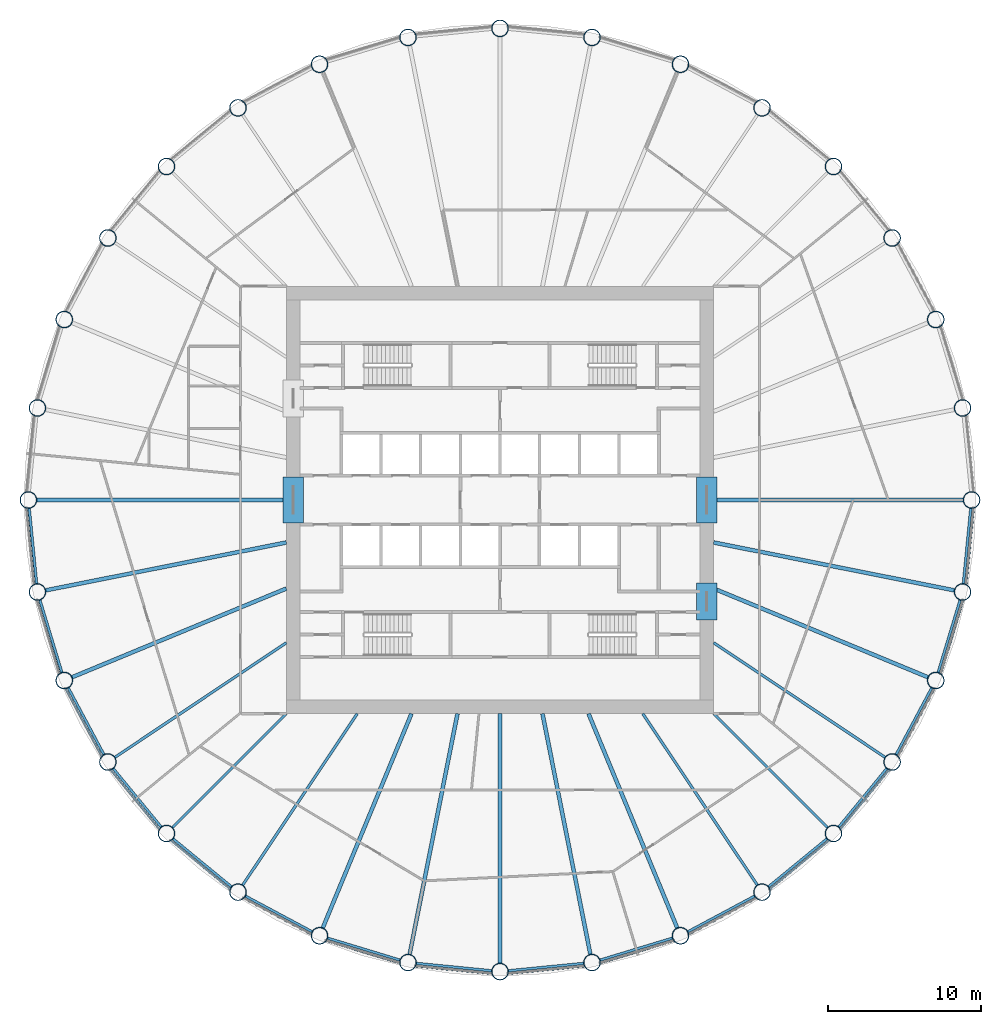
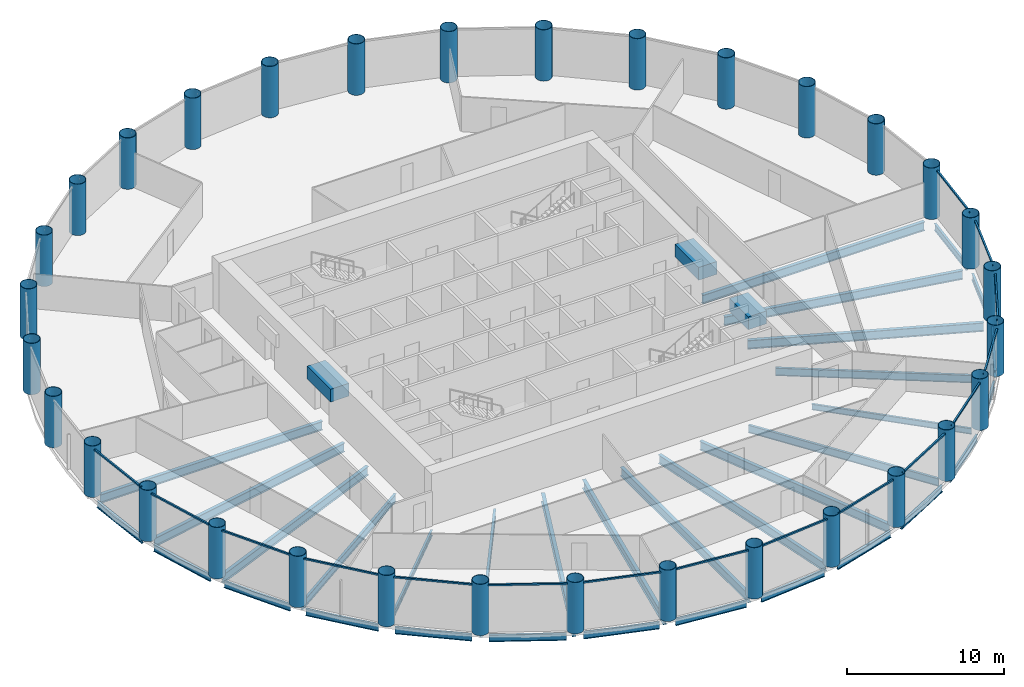
# One storey, part 1 of 9: 36 beams, 32 columns, 16 members, 16 elements without a shape of their own.
"""IFC4 building model written with IfcOpenShell, lengths in metres."""

from ifc_helpers import new_model, si_unit, direction, frame, origin, origin_2d, place, context, subcontext, project, spatial, rectangle, hollow_circle, i_section, extrude, material, material_profile, profile_set, type_object, element, aggregate, save


model = new_model("IFC4")

# Units and contexts
model_context = context("Model", 3, precision=1e-05, world=origin(), true_north=direction((0.0, 1.0)))
body_context = subcontext(model_context, "Body", "Model", "MODEL_VIEW")
ifc_project = project(units=[si_unit("LENGTHUNIT", "METRE"), si_unit("AREAUNIT", "SQUARE_METRE"), si_unit("VOLUMEUNIT", "CUBIC_METRE"), si_unit("PLANEANGLEUNIT", "RADIAN"), si_unit("MASSUNIT", "GRAM", prefix="KILO")], contexts=[model_context])

# Site, building, storey
site_placement = place(None, origin())
site = spatial("IfcSite", under=ifc_project, at=site_placement, CompositionType="ELEMENT")
building_placement = place(site_placement, origin())
building = spatial("IfcBuilding", under=site, at=building_placement, Name="Corvane Civic Tower", CompositionType="ELEMENT")
storey_placement = place(building_placement, frame((0.0, 0.0, 168.0)))
storey = spatial("IfcBuildingStorey", under=building, at=storey_placement, Name="L39", CompositionType="ELEMENT", Elevation=168.0)

# Columns
ifc_material_1 = material(Name="Steel ASTM A572 Gr 50", Category="steel")
ifc_material_profile_1 = material_profile(ifc_material_1, hollow_circle(Radius=0.550048828125, WallThickness=0.031982421875, at=origin_2d()), Name="CHS1100X32")
ifc_profile_set_1 = profile_set([ifc_material_profile_1], Name="Steel ASTM A572 Gr 50")
column_type = type_object("IfcColumnType", Name="COMPOSITE COLUMN CHS1100X32", PredefinedType="COLUMN", material=ifc_profile_set_1)
for number, where, z_axis, x_axis, name in (
    (1, (0.0, 30.89990234375, 0.0), (0.0, 0.0, 1.0), (1.0, 0.0, 0.0), "COL-L39-C01"),
    (2, (6.0283203125, 30.30615234375, 0.0), (0.0, 0.0, 1.0), (1.0, 0.0, 0.0), "COL-L39-C02"),
    (3, (11.824951171875, 28.5478515625, 0.0), (0.0, 0.0, 1.0), (1.0, 0.0, 0.0), "COL-L39-C03"),
    (4, (17.167236328125, 25.6923828125, 0.0), (0.0, 0.0, 1.0), (1.0, 0.0, 0.0), "COL-L39-C04"),
    (5, (21.849609375, 21.849609375, 0.0), (0.0, 0.0, 1.0), (1.0, 0.0, 0.0), "COL-L39-C05"),
    (6, (25.6923828125, 17.167236328125, 0.0), (0.0, 0.0, 1.0), (1.0, 0.0, 0.0), "COL-L39-C06"),
    (7, (28.5478515625, 11.824951171875, 0.0), (0.0, 0.0, 1.0), (1.0, 0.0, 0.0), "COL-L39-C07"),
    (8, (30.30615234375, 6.0283203125, 0.0), (0.0, 0.0, 1.0), (1.0, 0.0, 0.0), "COL-L39-C08"),
    (9, (30.89990234375, 0.0, 0.0), (0.0, 0.0, 1.0), (1.0, 0.0, 0.0), "COL-L39-C09"),
    (10, (30.30615234375, -6.0283203125, 0.0), (0.0, 0.0, 1.0), (1.0, 0.0, 0.0), "COL-L39-C10"),
    (11, (28.5478515625, -11.824951171875, 0.0), (0.0, 0.0, 1.0), (1.0, 0.0, 0.0), "COL-L39-C11"),
    (12, (25.6923828125, -17.167236328125, 0.0), (0.0, 0.0, 1.0), (1.0, 0.0, 0.0), "COL-L39-C12"),
    (13, (21.849609375, -21.849609375, 0.0), (0.0, 0.0, 1.0), (1.0, 0.0, 0.0), "COL-L39-C13"),
    (14, (17.167236328125, -25.6923828125, 0.0), (0.0, 0.0, 1.0), (1.0, 0.0, 0.0), "COL-L39-C14"),
    (15, (11.824951171875, -28.5478515625, 0.0), (0.0, 0.0, 1.0), (1.0, 0.0, 0.0), "COL-L39-C15"),
    (16, (6.0283203125, -30.30615234375, 0.0), (0.0, 0.0, 1.0), (1.0, 0.0, 0.0), "COL-L39-C16"),
    (17, (0.0, -30.89990234375, 0.0), (0.0, 0.0, 1.0), (1.0, 0.0, 0.0), "COL-L39-C17"),
    (18, (-6.0283203125, -30.30615234375, 0.0), (0.0, 0.0, 1.0), (1.0, 0.0, 0.0), "COL-L39-C18"),
    (19, (-11.824951171875, -28.5478515625, 0.0), (0.0, 0.0, 1.0), (1.0, 0.0, 0.0), "COL-L39-C19"),
    (20, (-17.167236328125, -25.6923828125, 0.0), (0.0, 0.0, 1.0), (1.0, 0.0, 0.0), "COL-L39-C20"),
    (21, (-21.849609375, -21.849609375, 0.0), (0.0, 0.0, 1.0), (1.0, 0.0, 0.0), "COL-L39-C21"),
    (22, (-25.6923828125, -17.167236328125, 0.0), (0.0, 0.0, 1.0), (1.0, 0.0, 0.0), "COL-L39-C22"),
    (23, (-28.5478515625, -11.824951171875, 0.0), (0.0, 0.0, 1.0), (1.0, 0.0, 0.0), "COL-L39-C23"),
    (24, (-30.30615234375, -6.0283203125, 0.0), (0.0, 0.0, 1.0), (1.0, 0.0, 0.0), "COL-L39-C24"),
    (25, (-30.89990234375, 0.0, 0.0), (0.0, 0.0, 1.0), (1.0, 0.0, 0.0), "COL-L39-C25"),
    (26, (-30.30615234375, 6.0283203125, 0.0), (0.0, 0.0, 1.0), (1.0, 0.0, 0.0), "COL-L39-C26"),
    (27, (-28.5478515625, 11.824951171875, 0.0), (0.0, 0.0, 1.0), (1.0, 0.0, 0.0), "COL-L39-C27"),
    (28, (-25.6923828125, 17.167236328125, 0.0), (0.0, 0.0, 1.0), (1.0, 0.0, 0.0), "COL-L39-C28"),
    (29, (-21.849609375, 21.849609375, 0.0), (0.0, 0.0, 1.0), (1.0, 0.0, 0.0), "COL-L39-C29"),
    (30, (-17.167236328125, 25.6923828125, 0.0), (0.0, 0.0, 1.0), (1.0, 0.0, 0.0), "COL-L39-C30"),
    (31, (-11.824951171875, 28.5478515625, 0.0), (0.0, 0.0, 1.0), (1.0, 0.0, 0.0), "COL-L39-C31"),
    (32, (-6.0283203125, 30.30615234375, 0.0), (0.0, 0.0, 1.0), (1.0, 0.0, 0.0), "COL-L39-C32"),
):
    element("IfcColumn", number, at=place(storey_placement, frame(where, z_axis=z_axis, x_axis=x_axis)), inside=storey, type_object=column_type, Name=name, PredefinedType="COLUMN", context=body_context, shape_type="SweptSolid", body=[
        extrude(hollow_circle(Radius=0.550048828125, WallThickness=0.031982421875, at=origin_2d()), origin(), (0.0, 0.0, 1.0), 4.0),
    ])

# Beams
ifc_material_2 = material(Name="Concrete C60/75", Category="concrete")
ifc_material_profile_2 = material_profile(ifc_material_2, rectangle(XDim=1.35009765625, YDim=1.0, at=origin_2d()), Name="COUPLING BEAM 1350X1000")
ifc_profile_set_2 = profile_set([ifc_material_profile_2], Name="Concrete C60/75")
beam_type_1 = type_object("IfcBeamType", Name="COUPLING BEAM COUPLING BEAM 1350X1000", PredefinedType="BEAM", material=ifc_profile_set_2)
for number, where, z_axis, x_axis, name in (
    (33, (-13.550048828125, -1.5, 2.60009765625), (0.0, 1.0, 0.0), (-1.0, 0.0, 0.0), "BM-L39-cpl-CW-LW"),
    (34, (13.550048828125, -1.5, 2.60009765625), (0.0, 1.0, 0.0), (-1.0, 0.0, 0.0), "BM-L39-cpl-CW-LE"),
):
    element("IfcBeam", number, at=place(storey_placement, frame(where, z_axis=z_axis, x_axis=x_axis)), inside=storey, type_object=beam_type_1, Name=name, PredefinedType="BEAM", context=body_context, shape_type="SweptSolid", body=[
        extrude(rectangle(XDim=1.35009765625, YDim=1.0, at=origin_2d()), origin(), (0.0, 0.0, 1.0), 3.0),
    ])
beam_1_placement = place(storey_placement, frame((13.550048828125, -7.85009765625, 2.60009765625), z_axis=(0.0, 1.0, 0.0), x_axis=(-1.0, 0.0, 0.0)))
element("IfcBeam", 35, at=beam_1_placement, inside=storey, type_object=beam_type_1, Name="BM-L39-cpl-CW-ES", PredefinedType="BEAM", context=body_context, shape_type="SweptSolid", body=[
    extrude(rectangle(XDim=1.35009765625, YDim=1.0, at=origin_2d()), origin(), (0.0, 0.0, 1.0), 2.400146484375),
])
ifc_material_3 = material(Name="Steel ASTM A992 Gr 50", Category="steel")
ifc_material_profile_3 = material_profile(ifc_material_3, i_section(OverallWidth=0.165771484375, OverallDepth=0.5283203125, WebThickness=0.009765625, FlangeThickness=0.013671875, at=origin_2d()), Name="W21X50")
ifc_profile_set_3 = profile_set([ifc_material_profile_3], Name="Steel ASTM A992 Gr 50")
beam_type_2 = type_object("IfcBeamType", Name="EDGE BEAM W21X50", PredefinedType="BEAM", material=ifc_profile_set_3)
beam_2_placement = place(storey_placement, frame((30.845947265625, -0.54736328125, -0.564208984375), z_axis=(-0.09800181167, -0.995186236294, 0.0), x_axis=(0.995186236294, -0.09800181167, 0.0)))
element("IfcBeam", 36, at=beam_2_placement, inside=storey, type_object=beam_type_2, Name="BM-L39-E09", PredefinedType="BEAM", context=body_context, shape_type="SweptSolid", body=[
    extrude(i_section(OverallWidth=0.165771484375, OverallDepth=0.5283203125, WebThickness=0.009765625, FlangeThickness=0.013671875, at=origin_2d()), origin(), (0.0, 0.0, 1.0), 4.95751953125),
])
beam_3_placement = place(storey_placement, frame((30.146484375, -6.5546875, -0.564208984375), z_axis=(-0.290269821381, -0.956944842086, 0.0), x_axis=(0.956944842086, -0.290269821381, 0.0)))
element("IfcBeam", 37, at=beam_3_placement, inside=storey, type_object=beam_type_2, Name="BM-L39-E10", PredefinedType="BEAM", context=body_context, shape_type="SweptSolid", body=[
    extrude(i_section(OverallWidth=0.165771484375, OverallDepth=0.5283203125, WebThickness=0.009765625, FlangeThickness=0.013671875, at=origin_2d()), origin(), (0.0, 0.0, 1.0), 4.957275390625),
])
for number, where, z_axis, x_axis, name in (
    (38, (28.28857421875, -12.31005859375, -0.564208984375), (-0.471395763042, -0.881921784846, 0.0), (0.881921784846, -0.471395763042, 0.0), "BM-L39-E11"),
    (39, (25.343505859375, -17.59228515625, -0.564208984375), (-0.634387546532, -0.77301516208, 0.0), (0.77301516208, -0.634387546532, 0.0), "BM-L39-E12"),
    (40, (21.424560546875, -22.198486328125, -0.564208984375), (-0.77301516208, -0.634387546532, 0.0), (0.634387546532, -0.77301516208, 0.0), "BM-L39-E13"),
    (41, (16.68212890625, -25.95166015625, -0.564208984375), (-0.881921784846, -0.471395763042, 0.0), (0.471395763042, -0.881921784846, 0.0), "BM-L39-E14"),
):
    element("IfcBeam", number, at=place(storey_placement, frame(where, z_axis=z_axis, x_axis=x_axis)), inside=storey, type_object=beam_type_2, Name=name, PredefinedType="BEAM", context=body_context, shape_type="SweptSolid", body=[
        extrude(i_section(OverallWidth=0.165771484375, OverallDepth=0.5283203125, WebThickness=0.009765625, FlangeThickness=0.013671875, at=origin_2d()), origin(), (0.0, 0.0, 1.0), 4.95751953125),
    ])
beam_4_placement = place(storey_placement, frame((11.298583984375, -28.70751953125, -0.564208984375), z_axis=(-0.956944842086, -0.290269821381, 0.0), x_axis=(0.290269821381, -0.956944842086, 0.0)))
element("IfcBeam", 42, at=beam_4_placement, inside=storey, type_object=beam_type_2, Name="BM-L39-E15", PredefinedType="BEAM", context=body_context, shape_type="SweptSolid", body=[
    extrude(i_section(OverallWidth=0.165771484375, OverallDepth=0.5283203125, WebThickness=0.009765625, FlangeThickness=0.013671875, at=origin_2d()), origin(), (0.0, 0.0, 1.0), 4.957275390625),
])
for number, where, z_axis, x_axis, name in (
    (43, (5.48095703125, -30.360107421875, -0.564208984375), (-0.995186236294, -0.09800181167, 0.0), (0.09800181167, -0.995186236294, 0.0), "BM-L39-E16"),
    (44, (-0.54736328125, -30.845947265625, -0.564208984375), (-0.995186236294, 0.09800181167, 0.0), (-0.09800181167, -0.995186236294, 0.0), "BM-L39-E17"),
):
    element("IfcBeam", number, at=place(storey_placement, frame(where, z_axis=z_axis, x_axis=x_axis)), inside=storey, type_object=beam_type_2, Name=name, PredefinedType="BEAM", context=body_context, shape_type="SweptSolid", body=[
        extrude(i_section(OverallWidth=0.165771484375, OverallDepth=0.5283203125, WebThickness=0.009765625, FlangeThickness=0.013671875, at=origin_2d()), origin(), (0.0, 0.0, 1.0), 4.95751953125),
    ])
beam_5_placement = place(storey_placement, frame((-6.5546875, -30.146484375, -0.564208984375), z_axis=(-0.956944842086, 0.290269821381, 0.0), x_axis=(-0.290269821381, -0.956944842086, 0.0)))
element("IfcBeam", 45, at=beam_5_placement, inside=storey, type_object=beam_type_2, Name="BM-L39-E18", PredefinedType="BEAM", context=body_context, shape_type="SweptSolid", body=[
    extrude(i_section(OverallWidth=0.165771484375, OverallDepth=0.5283203125, WebThickness=0.009765625, FlangeThickness=0.013671875, at=origin_2d()), origin(), (0.0, 0.0, 1.0), 4.957275390625),
])
for number, where, z_axis, x_axis, name in (
    (46, (-12.31005859375, -28.28857421875, -0.564208984375), (-0.881921784846, 0.471395763042, 0.0), (-0.471395763042, -0.881921784846, 0.0), "BM-L39-E19"),
    (47, (-17.59228515625, -25.343505859375, -0.564208984375), (-0.77301516208, 0.634387546532, 0.0), (-0.634387546532, -0.77301516208, 0.0), "BM-L39-E20"),
    (48, (-22.198486328125, -21.424560546875, -0.564208984375), (-0.634387546532, 0.77301516208, 0.0), (-0.77301516208, -0.634387546532, 0.0), "BM-L39-E21"),
    (49, (-25.95166015625, -16.68212890625, -0.564208984375), (-0.471395763042, 0.881921784846, 0.0), (-0.881921784846, -0.471395763042, 0.0), "BM-L39-E22"),
):
    element("IfcBeam", number, at=place(storey_placement, frame(where, z_axis=z_axis, x_axis=x_axis)), inside=storey, type_object=beam_type_2, Name=name, PredefinedType="BEAM", context=body_context, shape_type="SweptSolid", body=[
        extrude(i_section(OverallWidth=0.165771484375, OverallDepth=0.5283203125, WebThickness=0.009765625, FlangeThickness=0.013671875, at=origin_2d()), origin(), (0.0, 0.0, 1.0), 4.95751953125),
    ])
beam_6_placement = place(storey_placement, frame((-28.70751953125, -11.298583984375, -0.564208984375), z_axis=(-0.290269821381, 0.956944842086, 0.0), x_axis=(-0.956944842086, -0.290269821381, 0.0)))
element("IfcBeam", 50, at=beam_6_placement, inside=storey, type_object=beam_type_2, Name="BM-L39-E23", PredefinedType="BEAM", context=body_context, shape_type="SweptSolid", body=[
    extrude(i_section(OverallWidth=0.165771484375, OverallDepth=0.5283203125, WebThickness=0.009765625, FlangeThickness=0.013671875, at=origin_2d()), origin(), (0.0, 0.0, 1.0), 4.957275390625),
])
beam_7_placement = place(storey_placement, frame((-30.360107421875, -5.48095703125, -0.564208984375), z_axis=(-0.09800181167, 0.995186236294, 0.0), x_axis=(-0.995186236294, -0.09800181167, 0.0)))
element("IfcBeam", 51, at=beam_7_placement, inside=storey, type_object=beam_type_2, Name="BM-L39-E24", PredefinedType="BEAM", context=body_context, shape_type="SweptSolid", body=[
    extrude(i_section(OverallWidth=0.165771484375, OverallDepth=0.5283203125, WebThickness=0.009765625, FlangeThickness=0.013671875, at=origin_2d()), origin(), (0.0, 0.0, 1.0), 4.95751953125),
])
ifc_material_4 = material(Name="Steel ASTM A992 Gr 50", Category="steel")
ifc_material_profile_4 = material_profile(ifc_material_4, i_section(OverallWidth=0.15283203125, OverallDepth=0.45458984375, WebThickness=0.008056640625, FlangeThickness=0.013427734375, at=origin_2d()), Name="W18X40")
ifc_profile_set_4 = profile_set([ifc_material_profile_4], Name="Steel ASTM A992 Gr 50")
beam_type_3 = type_object("IfcBeamType", Name="FLOOR GIRDER W18X40", PredefinedType="BEAM", material=ifc_profile_set_4)
for number, where, z_axis, x_axis, name in (
    (52, (14.0, -14.0, -0.52734375), (0.707106781187, -0.707106781187, 0.0), (0.707106781187, 0.707106781187, 0.0), "BM-L39-G13"),
    (53, (-14.0, -14.0, -0.52734375), (-0.707106781187, -0.707106781187, 0.0), (0.707106781187, -0.707106781187, 0.0), "BM-L39-G21"),
):
    element("IfcBeam", number, at=place(storey_placement, frame(where, z_axis=z_axis, x_axis=x_axis)), inside=storey, type_object=beam_type_3, Name=name, PredefinedType="BEAM", context=body_context, shape_type="SweptSolid", body=[
        extrude(i_section(OverallWidth=0.15283203125, OverallDepth=0.45458984375, WebThickness=0.008056640625, FlangeThickness=0.013427734375, at=origin_2d()), origin(), (0.0, 0.0, 1.0), 10.551025390625),
    ])
ifc_material_5 = material(Name="Steel ASTM A992 Gr 50", Category="steel")
ifc_material_profile_5 = material_profile(ifc_material_5, i_section(OverallWidth=0.177978515625, OverallDepth=0.599365234375, WebThickness=0.010009765625, FlangeThickness=0.012939453125, at=origin_2d()), Name="W24X55")
ifc_profile_set_5 = profile_set([ifc_material_profile_5], Name="Steel ASTM A992 Gr 50")
beam_type_4 = type_object("IfcBeamType", Name="FLOOR GIRDER W24X55", PredefinedType="BEAM", material=ifc_profile_set_5)
for number, where, z_axis, x_axis, name in (
    (54, (14.0, -9.3544921875, -0.599609375), (0.83146888399, -0.555571323015, 0.0), (0.555571323015, 0.83146888399, 0.0), "BM-L39-G12"),
    (55, (9.3544921875, -14.0, -0.599609375), (0.555571323015, -0.83146888399, 0.0), (0.83146888399, 0.555571323015, 0.0), "BM-L39-G14"),
    (56, (-9.3544921875, -14.0, -0.599609375), (-0.555571323015, -0.83146888399, 0.0), (0.83146888399, -0.555571323015, 0.0), "BM-L39-G20"),
    (57, (-14.0, -9.3544921875, -0.599609375), (-0.83146888399, -0.555571323015, 0.0), (0.555571323015, -0.83146888399, 0.0), "BM-L39-G22"),
):
    element("IfcBeam", number, at=place(storey_placement, frame(where, z_axis=z_axis, x_axis=x_axis)), inside=storey, type_object=beam_type_4, Name=name, PredefinedType="BEAM", context=body_context, shape_type="SweptSolid", body=[
        extrude(i_section(OverallWidth=0.177978515625, OverallDepth=0.599365234375, WebThickness=0.010009765625, FlangeThickness=0.012939453125, at=origin_2d()), origin(), (0.0, 0.0, 1.0), 13.512451171875),
    ])
ifc_material_6 = material(Name="Steel ASTM A992 Gr 50", Category="steel")
ifc_material_profile_6 = material_profile(ifc_material_6, i_section(OverallWidth=0.25390625, OverallDepth=0.67822265625, WebThickness=0.01171875, FlangeThickness=0.016357421875, at=origin_2d()), Name="W27X84")
ifc_profile_set_6 = profile_set([ifc_material_profile_6], Name="Steel ASTM A992 Gr 50")
beam_type_5 = type_object("IfcBeamType", Name="FLOOR GIRDER W27X84", PredefinedType="BEAM", material=ifc_profile_set_6)
beam_8_placement = place(storey_placement, frame((14.0, 0.0, -0.63916015625), z_axis=(1.0, 0.0, 0.0), x_axis=(0.0, 1.0, 0.0)))
element("IfcBeam", 58, at=beam_8_placement, inside=storey, type_object=beam_type_5, Name="BM-L39-G09", PredefinedType="BEAM", context=body_context, shape_type="SweptSolid", body=[
    extrude(i_section(OverallWidth=0.25390625, OverallDepth=0.67822265625, WebThickness=0.01171875, FlangeThickness=0.016357421875, at=origin_2d()), origin(), (0.0, 0.0, 1.0), 16.35009765625),
])
beam_9_placement = place(storey_placement, frame((14.0, -2.78466796875, -0.63916015625), z_axis=(0.980785162999, -0.195090912248, 0.0), x_axis=(0.195090912248, 0.980785162999, 0.0)))
element("IfcBeam", 59, at=beam_9_placement, inside=storey, type_object=beam_type_5, Name="BM-L39-G10", PredefinedType="BEAM", context=body_context, shape_type="SweptSolid", body=[
    extrude(i_section(OverallWidth=0.25390625, OverallDepth=0.67822265625, WebThickness=0.01171875, FlangeThickness=0.016357421875, at=origin_2d()), origin(), (0.0, 0.0, 1.0), 16.07568359375),
])
for number, where, z_axis, x_axis, name in (
    (60, (14.0, -5.799072265625, -0.63916015625), (0.923880551114, -0.38268097323, 0.0), (0.38268097323, 0.923880551114, 0.0), "BM-L39-G11"),
    (61, (5.799072265625, -14.0, -0.63916015625), (0.38268097323, -0.923880551114, 0.0), (0.923880551114, 0.38268097323, 0.0), "BM-L39-G15"),
):
    element("IfcBeam", number, at=place(storey_placement, frame(where, z_axis=z_axis, x_axis=x_axis)), inside=storey, type_object=beam_type_5, Name=name, PredefinedType="BEAM", context=body_context, shape_type="SweptSolid", body=[
        extrude(i_section(OverallWidth=0.25390625, OverallDepth=0.67822265625, WebThickness=0.01171875, FlangeThickness=0.016357421875, at=origin_2d()), origin(), (0.0, 0.0, 1.0), 15.196533203125),
    ])
beam_10_placement = place(storey_placement, frame((2.78466796875, -14.0, -0.63916015625), z_axis=(0.195090912248, -0.980785162999, 0.0), x_axis=(0.980785162999, 0.195090912248, 0.0)))
element("IfcBeam", 62, at=beam_10_placement, inside=storey, type_object=beam_type_5, Name="BM-L39-G16", PredefinedType="BEAM", context=body_context, shape_type="SweptSolid", body=[
    extrude(i_section(OverallWidth=0.25390625, OverallDepth=0.67822265625, WebThickness=0.01171875, FlangeThickness=0.016357421875, at=origin_2d()), origin(), (0.0, 0.0, 1.0), 16.07568359375),
])
beam_11_placement = place(storey_placement, frame((0.0, -14.0, -0.63916015625), z_axis=(0.0, -1.0, 0.0), x_axis=(1.0, 0.0, 0.0)))
element("IfcBeam", 63, at=beam_11_placement, inside=storey, type_object=beam_type_5, Name="BM-L39-G17", PredefinedType="BEAM", context=body_context, shape_type="SweptSolid", body=[
    extrude(i_section(OverallWidth=0.25390625, OverallDepth=0.67822265625, WebThickness=0.01171875, FlangeThickness=0.016357421875, at=origin_2d()), origin(), (0.0, 0.0, 1.0), 16.35009765625),
])
beam_12_placement = place(storey_placement, frame((-2.78466796875, -14.0, -0.63916015625), z_axis=(-0.195090912248, -0.980785162999, 0.0), x_axis=(0.980785162999, -0.195090912248, 0.0)))
element("IfcBeam", 64, at=beam_12_placement, inside=storey, type_object=beam_type_5, Name="BM-L39-G18", PredefinedType="BEAM", context=body_context, shape_type="SweptSolid", body=[
    extrude(i_section(OverallWidth=0.25390625, OverallDepth=0.67822265625, WebThickness=0.01171875, FlangeThickness=0.016357421875, at=origin_2d()), origin(), (0.0, 0.0, 1.0), 16.07568359375),
])
for number, where, z_axis, x_axis, name in (
    (65, (-5.799072265625, -14.0, -0.63916015625), (-0.38268097323, -0.923880551114, 0.0), (0.923880551114, -0.38268097323, 0.0), "BM-L39-G19"),
    (66, (-14.0, -5.799072265625, -0.63916015625), (-0.923880551114, -0.38268097323, 0.0), (0.38268097323, -0.923880551114, 0.0), "BM-L39-G23"),
):
    element("IfcBeam", number, at=place(storey_placement, frame(where, z_axis=z_axis, x_axis=x_axis)), inside=storey, type_object=beam_type_5, Name=name, PredefinedType="BEAM", context=body_context, shape_type="SweptSolid", body=[
        extrude(i_section(OverallWidth=0.25390625, OverallDepth=0.67822265625, WebThickness=0.01171875, FlangeThickness=0.016357421875, at=origin_2d()), origin(), (0.0, 0.0, 1.0), 15.196533203125),
    ])
beam_13_placement = place(storey_placement, frame((-14.0, -2.78466796875, -0.63916015625), z_axis=(-0.980785162999, -0.195090912248, 0.0), x_axis=(0.195090912248, -0.980785162999, 0.0)))
element("IfcBeam", 67, at=beam_13_placement, inside=storey, type_object=beam_type_5, Name="BM-L39-G24", PredefinedType="BEAM", context=body_context, shape_type="SweptSolid", body=[
    extrude(i_section(OverallWidth=0.25390625, OverallDepth=0.67822265625, WebThickness=0.01171875, FlangeThickness=0.016357421875, at=origin_2d()), origin(), (0.0, 0.0, 1.0), 16.07568359375),
])
beam_14_placement = place(storey_placement, frame((-14.0, 0.0, -0.63916015625), z_axis=(-1.0, 0.0, 0.0), x_axis=(0.0, -1.0, 0.0)))
element("IfcBeam", 68, at=beam_14_placement, inside=storey, type_object=beam_type_5, Name="BM-L39-G25", PredefinedType="BEAM", context=body_context, shape_type="SweptSolid", body=[
    extrude(i_section(OverallWidth=0.25390625, OverallDepth=0.67822265625, WebThickness=0.01171875, FlangeThickness=0.016357421875, at=origin_2d()), origin(), (0.0, 0.0, 1.0), 16.35009765625),
])

# Curtain wall, member
ifc_material_7 = material(Name="Anodised aluminium bronze", Category="aluminium")
curtain_wall_type = type_object("IfcCurtainWallType", Name="TOWER CW-T2 STICK CURTAIN WALL", PredefinedType="NOTDEFINED", material=ifc_material_7)
curtain_wall_1_placement = place(storey_placement, origin())
curtain_wall_1 = element("IfcCurtainWall", 69, at=curtain_wall_1_placement, inside=storey, type_object=curtain_wall_type, Name="Curtain wall CW-T2 L39 bay 09", PredefinedType="NOTDEFINED")
ifc_material_8 = material(Name="Anodised aluminium bronze", Category="aluminium")
ifc_material_profile_7 = material_profile(ifc_material_8, rectangle(XDim=0.1201171875, YDim=0.1201171875, at=origin_2d()), Name="TOWER CW-T2 TRANSOM 120x120")
ifc_profile_set_7 = profile_set([ifc_material_profile_7], Name="Anodised aluminium bronze")
member_type = type_object("IfcMemberType", Name="TOWER CW-T2 TRANSOM 120x120", PredefinedType="USERDEFINED", material=ifc_profile_set_7)
member_1_placement = place(storey_placement, frame((31.0302734375, -0.505126953125, 3.68994140625), z_axis=(-0.097989755963, -0.995187423416, 0.0), x_axis=(0.995187423416, -0.097989755963, 0.0)))
member_1 = element("IfcMember", 70, at=member_1_placement, type_object=member_type, Name="Transom CW-T2 L39 09.1", ObjectType="TRANSOM", PredefinedType="USERDEFINED", context=body_context, shape_type="SweptSolid", body=[
    extrude(rectangle(XDim=0.1201171875, YDim=0.1201171875, at=origin_2d()), origin(), (0.0, 0.0, 1.0), 5.07763671875),
])
aggregate(curtain_wall_1, [member_1])

curtain_wall_2_placement = place(storey_placement, origin())
curtain_wall_2 = element("IfcCurtainWall", 71, at=curtain_wall_2_placement, inside=storey, type_object=curtain_wall_type, Name="Curtain wall CW-T2 L39 bay 10", PredefinedType="NOTDEFINED")
member_2_placement = place(storey_placement, frame((30.33544921875, -6.54931640625, 3.68994140625), z_axis=(-0.290288977061, -0.956939031389, 0.0), x_axis=(0.956939031389, -0.290288977061, 0.0)))
member_2 = element("IfcMember", 72, at=member_2_placement, type_object=member_type, Name="Transom CW-T2 L39 10.1", ObjectType="TRANSOM", PredefinedType="USERDEFINED", context=body_context, shape_type="SweptSolid", body=[
    extrude(rectangle(XDim=0.1201171875, YDim=0.1201171875, at=origin_2d()), origin(), (0.0, 0.0, 1.0), 5.077392578125),
])
aggregate(curtain_wall_2, [member_2])

curtain_wall_3_placement = place(storey_placement, origin())
curtain_wall_3 = element("IfcCurtainWall", 73, at=curtain_wall_3_placement, inside=storey, type_object=curtain_wall_type, Name="Curtain wall CW-T2 L39 bay 11", PredefinedType="NOTDEFINED")
member_3_placement = place(storey_placement, frame((28.474853515625, -12.341552734375, 3.68994140625), z_axis=(-0.471396615074, -0.881921329426, 0.0), x_axis=(0.881921329426, -0.471396615074, 0.0)))
member_3 = element("IfcMember", 74, at=member_3_placement, type_object=member_type, Name="Transom CW-T2 L39 11.1", ObjectType="TRANSOM", PredefinedType="USERDEFINED", context=body_context, shape_type="SweptSolid", body=[
    extrude(rectangle(XDim=0.1201171875, YDim=0.1201171875, at=origin_2d()), origin(), (0.0, 0.0, 1.0), 5.07763671875),
])
aggregate(curtain_wall_3, [member_3])

curtain_wall_4_placement = place(storey_placement, origin())
curtain_wall_4 = element("IfcCurtainWall", 75, at=curtain_wall_4_placement, inside=storey, type_object=curtain_wall_type, Name="Curtain wall CW-T2 L39 bay 12", PredefinedType="NOTDEFINED")
member_4_placement = place(storey_placement, frame((25.519775390625, -17.65966796875, 3.68994140625), z_axis=(-0.634386611146, -0.773015929719, 0.0), x_axis=(0.773015929719, -0.634386611146, 0.0)))
member_4 = element("IfcMember", 76, at=member_4_placement, type_object=member_type, Name="Transom CW-T2 L39 12.1", ObjectType="TRANSOM", PredefinedType="USERDEFINED", context=body_context, shape_type="SweptSolid", body=[
    extrude(rectangle(XDim=0.1201171875, YDim=0.1201171875, at=origin_2d()), origin(), (0.0, 0.0, 1.0), 5.0771484375),
])
aggregate(curtain_wall_4, [member_4])

curtain_wall_5_placement = place(storey_placement, origin())
curtain_wall_5 = element("IfcCurtainWall", 77, at=curtain_wall_5_placement, inside=storey, type_object=curtain_wall_type, Name="Curtain wall CW-T2 L39 bay 13", PredefinedType="NOTDEFINED")
member_5_placement = place(storey_placement, frame((21.58447265625, -22.298828125, 3.68994140625), z_axis=(-0.773015929719, -0.634386611146, 0.0), x_axis=(0.634386611146, -0.773015929719, 0.0)))
member_5 = element("IfcMember", 78, at=member_5_placement, type_object=member_type, Name="Transom CW-T2 L39 13.1", ObjectType="TRANSOM", PredefinedType="USERDEFINED", context=body_context, shape_type="SweptSolid", body=[
    extrude(rectangle(XDim=0.1201171875, YDim=0.1201171875, at=origin_2d()), origin(), (0.0, 0.0, 1.0), 5.0771484375),
])
aggregate(curtain_wall_5, [member_5])

curtain_wall_6_placement = place(storey_placement, origin())
curtain_wall_6 = element("IfcCurtainWall", 79, at=curtain_wall_6_placement, inside=storey, type_object=curtain_wall_type, Name="Curtain wall CW-T2 L39 bay 14", PredefinedType="NOTDEFINED")
member_6_placement = place(storey_placement, frame((16.819580078125, -26.081298828125, 3.68994140625), z_axis=(-0.881921329426, -0.471396615074, 0.0), x_axis=(0.471396615074, -0.881921329426, 0.0)))
member_6 = element("IfcMember", 80, at=member_6_placement, type_object=member_type, Name="Transom CW-T2 L39 14.1", ObjectType="TRANSOM", PredefinedType="USERDEFINED", context=body_context, shape_type="SweptSolid", body=[
    extrude(rectangle(XDim=0.1201171875, YDim=0.1201171875, at=origin_2d()), origin(), (0.0, 0.0, 1.0), 5.07763671875),
])
aggregate(curtain_wall_6, [member_6])

curtain_wall_7_placement = place(storey_placement, origin())
curtain_wall_7 = element("IfcCurtainWall", 81, at=curtain_wall_7_placement, inside=storey, type_object=curtain_wall_type, Name="Curtain wall CW-T2 L39 bay 15", PredefinedType="NOTDEFINED")
member_7_placement = place(storey_placement, frame((11.407958984375, -28.861572265625, 3.68994140625), z_axis=(-0.956939031389, -0.290288977061, 0.0), x_axis=(0.290288977061, -0.956939031389, 0.0)))
member_7 = element("IfcMember", 82, at=member_7_placement, type_object=member_type, Name="Transom CW-T2 L39 15.1", ObjectType="TRANSOM", PredefinedType="USERDEFINED", context=body_context, shape_type="SweptSolid", body=[
    extrude(rectangle(XDim=0.1201171875, YDim=0.1201171875, at=origin_2d()), origin(), (0.0, 0.0, 1.0), 5.077392578125),
])
aggregate(curtain_wall_7, [member_7])

curtain_wall_8_placement = place(storey_placement, origin())
curtain_wall_8 = element("IfcCurtainWall", 83, at=curtain_wall_8_placement, inside=storey, type_object=curtain_wall_type, Name="Curtain wall CW-T2 L39 bay 16", PredefinedType="NOTDEFINED")
member_8_placement = place(storey_placement, frame((5.558349609375, -30.53271484375, 3.68994140625), z_axis=(-0.995187423416, -0.097989755963, 0.0), x_axis=(0.097989755963, -0.995187423416, 0.0)))
member_8 = element("IfcMember", 84, at=member_8_placement, type_object=member_type, Name="Transom CW-T2 L39 16.1", ObjectType="TRANSOM", PredefinedType="USERDEFINED", context=body_context, shape_type="SweptSolid", body=[
    extrude(rectangle(XDim=0.1201171875, YDim=0.1201171875, at=origin_2d()), origin(), (0.0, 0.0, 1.0), 5.07763671875),
])
aggregate(curtain_wall_8, [member_8])

curtain_wall_9_placement = place(storey_placement, origin())
curtain_wall_9 = element("IfcCurtainWall", 85, at=curtain_wall_9_placement, inside=storey, type_object=curtain_wall_type, Name="Curtain wall CW-T2 L39 bay 17", PredefinedType="NOTDEFINED")
member_9_placement = place(storey_placement, frame((-0.505126953125, -31.0302734375, 3.68994140625), z_axis=(-0.995187423416, 0.097989755963, 0.0), x_axis=(-0.097989755963, -0.995187423416, 0.0)))
member_9 = element("IfcMember", 86, at=member_9_placement, type_object=member_type, Name="Transom CW-T2 L39 17.1", ObjectType="TRANSOM", PredefinedType="USERDEFINED", context=body_context, shape_type="SweptSolid", body=[
    extrude(rectangle(XDim=0.1201171875, YDim=0.1201171875, at=origin_2d()), origin(), (0.0, 0.0, 1.0), 5.07763671875),
])
aggregate(curtain_wall_9, [member_9])

curtain_wall_10_placement = place(storey_placement, origin())
curtain_wall_10 = element("IfcCurtainWall", 87, at=curtain_wall_10_placement, inside=storey, type_object=curtain_wall_type, Name="Curtain wall CW-T2 L39 bay 18", PredefinedType="NOTDEFINED")
member_10_placement = place(storey_placement, frame((-6.54931640625, -30.33544921875, 3.68994140625), z_axis=(-0.956939031389, 0.290288977061, 0.0), x_axis=(-0.290288977061, -0.956939031389, 0.0)))
member_10 = element("IfcMember", 88, at=member_10_placement, type_object=member_type, Name="Transom CW-T2 L39 18.1", ObjectType="TRANSOM", PredefinedType="USERDEFINED", context=body_context, shape_type="SweptSolid", body=[
    extrude(rectangle(XDim=0.1201171875, YDim=0.1201171875, at=origin_2d()), origin(), (0.0, 0.0, 1.0), 5.077392578125),
])
aggregate(curtain_wall_10, [member_10])

curtain_wall_11_placement = place(storey_placement, origin())
curtain_wall_11 = element("IfcCurtainWall", 89, at=curtain_wall_11_placement, inside=storey, type_object=curtain_wall_type, Name="Curtain wall CW-T2 L39 bay 19", PredefinedType="NOTDEFINED")
member_11_placement = place(storey_placement, frame((-12.341552734375, -28.474853515625, 3.68994140625), z_axis=(-0.881921329426, 0.471396615074, 0.0), x_axis=(-0.471396615074, -0.881921329426, 0.0)))
member_11 = element("IfcMember", 90, at=member_11_placement, type_object=member_type, Name="Transom CW-T2 L39 19.1", ObjectType="TRANSOM", PredefinedType="USERDEFINED", context=body_context, shape_type="SweptSolid", body=[
    extrude(rectangle(XDim=0.1201171875, YDim=0.1201171875, at=origin_2d()), origin(), (0.0, 0.0, 1.0), 5.07763671875),
])
aggregate(curtain_wall_11, [member_11])

curtain_wall_12_placement = place(storey_placement, origin())
curtain_wall_12 = element("IfcCurtainWall", 91, at=curtain_wall_12_placement, inside=storey, type_object=curtain_wall_type, Name="Curtain wall CW-T2 L39 bay 20", PredefinedType="NOTDEFINED")
member_12_placement = place(storey_placement, frame((-17.65966796875, -25.519775390625, 3.68994140625), z_axis=(-0.773015929719, 0.634386611146, 0.0), x_axis=(-0.634386611146, -0.773015929719, 0.0)))
member_12 = element("IfcMember", 92, at=member_12_placement, type_object=member_type, Name="Transom CW-T2 L39 20.1", ObjectType="TRANSOM", PredefinedType="USERDEFINED", context=body_context, shape_type="SweptSolid", body=[
    extrude(rectangle(XDim=0.1201171875, YDim=0.1201171875, at=origin_2d()), origin(), (0.0, 0.0, 1.0), 5.0771484375),
])
aggregate(curtain_wall_12, [member_12])

curtain_wall_13_placement = place(storey_placement, origin())
curtain_wall_13 = element("IfcCurtainWall", 93, at=curtain_wall_13_placement, inside=storey, type_object=curtain_wall_type, Name="Curtain wall CW-T2 L39 bay 21", PredefinedType="NOTDEFINED")
member_13_placement = place(storey_placement, frame((-22.298828125, -21.58447265625, 3.68994140625), z_axis=(-0.634386611146, 0.773015929719, 0.0), x_axis=(-0.773015929719, -0.634386611146, 0.0)))
member_13 = element("IfcMember", 94, at=member_13_placement, type_object=member_type, Name="Transom CW-T2 L39 21.1", ObjectType="TRANSOM", PredefinedType="USERDEFINED", context=body_context, shape_type="SweptSolid", body=[
    extrude(rectangle(XDim=0.1201171875, YDim=0.1201171875, at=origin_2d()), origin(), (0.0, 0.0, 1.0), 5.0771484375),
])
aggregate(curtain_wall_13, [member_13])

curtain_wall_14_placement = place(storey_placement, origin())
curtain_wall_14 = element("IfcCurtainWall", 95, at=curtain_wall_14_placement, inside=storey, type_object=curtain_wall_type, Name="Curtain wall CW-T2 L39 bay 22", PredefinedType="NOTDEFINED")
member_14_placement = place(storey_placement, frame((-26.081298828125, -16.819580078125, 3.68994140625), z_axis=(-0.471396615074, 0.881921329426, 0.0), x_axis=(-0.881921329426, -0.471396615074, 0.0)))
member_14 = element("IfcMember", 96, at=member_14_placement, type_object=member_type, Name="Transom CW-T2 L39 22.1", ObjectType="TRANSOM", PredefinedType="USERDEFINED", context=body_context, shape_type="SweptSolid", body=[
    extrude(rectangle(XDim=0.1201171875, YDim=0.1201171875, at=origin_2d()), origin(), (0.0, 0.0, 1.0), 5.07763671875),
])
aggregate(curtain_wall_14, [member_14])

curtain_wall_15_placement = place(storey_placement, origin())
curtain_wall_15 = element("IfcCurtainWall", 97, at=curtain_wall_15_placement, inside=storey, type_object=curtain_wall_type, Name="Curtain wall CW-T2 L39 bay 23", PredefinedType="NOTDEFINED")
member_15_placement = place(storey_placement, frame((-28.861572265625, -11.407958984375, 3.68994140625), z_axis=(-0.290288977061, 0.956939031389, 0.0), x_axis=(-0.956939031389, -0.290288977061, 0.0)))
member_15 = element("IfcMember", 98, at=member_15_placement, type_object=member_type, Name="Transom CW-T2 L39 23.1", ObjectType="TRANSOM", PredefinedType="USERDEFINED", context=body_context, shape_type="SweptSolid", body=[
    extrude(rectangle(XDim=0.1201171875, YDim=0.1201171875, at=origin_2d()), origin(), (0.0, 0.0, 1.0), 5.077392578125),
])
aggregate(curtain_wall_15, [member_15])

curtain_wall_16_placement = place(storey_placement, origin())
curtain_wall_16 = element("IfcCurtainWall", 99, at=curtain_wall_16_placement, inside=storey, type_object=curtain_wall_type, Name="Curtain wall CW-T2 L39 bay 24", PredefinedType="NOTDEFINED")
member_16_placement = place(storey_placement, frame((-30.53271484375, -5.558349609375, 3.68994140625), z_axis=(-0.097989755963, 0.995187423416, 0.0), x_axis=(-0.995187423416, -0.097989755963, 0.0)))
member_16 = element("IfcMember", 100, at=member_16_placement, type_object=member_type, Name="Transom CW-T2 L39 24.1", ObjectType="TRANSOM", PredefinedType="USERDEFINED", context=body_context, shape_type="SweptSolid", body=[
    extrude(rectangle(XDim=0.1201171875, YDim=0.1201171875, at=origin_2d()), origin(), (0.0, 0.0, 1.0), 5.07763671875),
])
aggregate(curtain_wall_16, [member_16])

save(model, "model.ifc")
